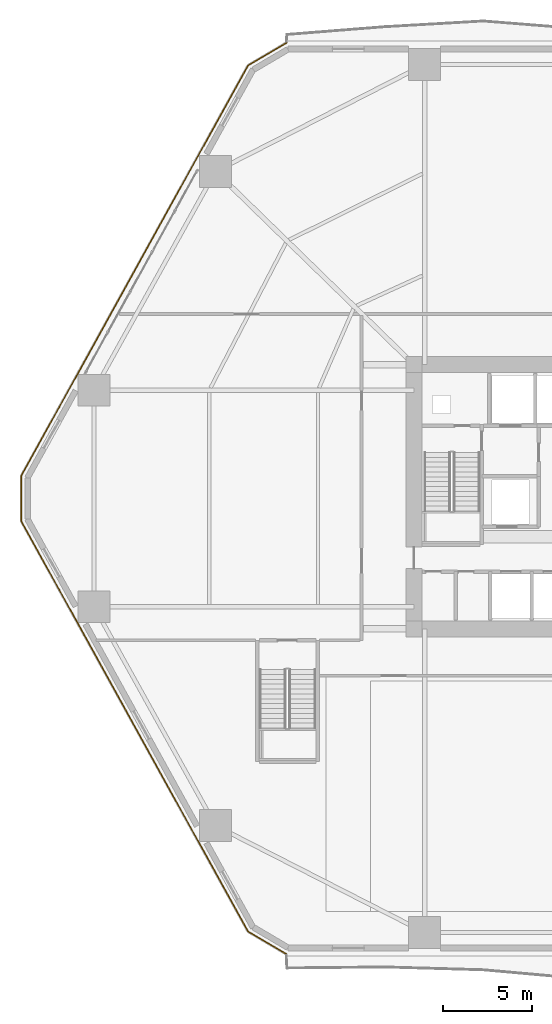
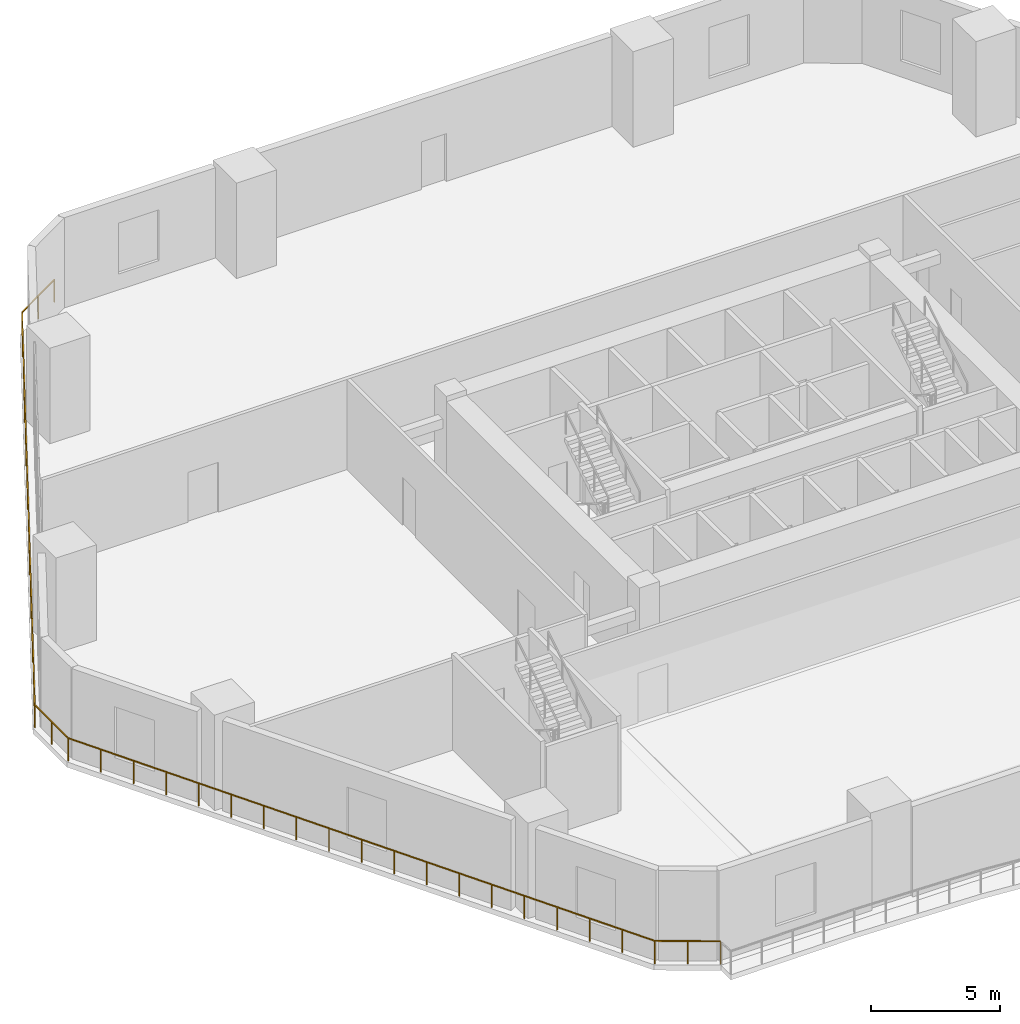
# One storey, part 16 of 18: 1 railing.
"""IFC4 building model written with IfcOpenShell, lengths in metres."""

from ifc_helpers import new_model, si_unit, direction, frame, origin, origin_2d, place, context, subcontext, project, spatial, rectangle, extrude, material, type_object, element, save


model = new_model("IFC4")

# Units and contexts
model_context = context("Model", 3, precision=1e-05, world=origin(), true_north=direction((0.0, 1.0)))
body_context = subcontext(model_context, "Body", "Model", "MODEL_VIEW")
ifc_project = project(units=[si_unit("LENGTHUNIT", "METRE"), si_unit("AREAUNIT", "SQUARE_METRE"), si_unit("VOLUMEUNIT", "CUBIC_METRE"), si_unit("PLANEANGLEUNIT", "RADIAN"), si_unit("MASSUNIT", "GRAM", prefix="KILO")], contexts=[model_context])

# Site, building, storey
site_placement = place(None, origin())
site = spatial("IfcSite", under=ifc_project, at=site_placement, CompositionType="ELEMENT")
building_placement = place(site_placement, origin())
building = spatial("IfcBuilding", under=site, at=building_placement, Name="Cinnabar Lancet Tower", CompositionType="ELEMENT")
storey_placement = place(building_placement, frame((0.0, 0.0, 10.5)))
storey = spatial("IfcBuildingStorey", under=building, at=storey_placement, Name="L02", CompositionType="ELEMENT", Elevation=10.5)

# Railing
ifc_material = material(Name="Laminated safety glass and bronze stainless steel balustrade", Category="steel")
railing_type = type_object("IfcRailingType", Name="ENV-RLG-BAL-1100", PredefinedType="BALUSTRADE", material=ifc_material)
railing_placement = place(storey_placement, frame((15.778076171875, 51.52001953125, 0.0)))
element("IfcRailing", 1, at=railing_placement, inside=storey, type_object=railing_type, Name="L02 West Perimeter Overhang Edge Balustrade", PredefinedType="BALUSTRADE", context=body_context, shape_type="SweptSolid", body=[
    extrude(rectangle(XDim=0.048095703125, YDim=0.048095703125, at=origin_2d()), frame((0.0, 0.0, 1.076171875), z_axis=(-0.86125159245, -0.508178801705, 0.0), x_axis=(0.508178801705, -0.86125159245, 0.0)), (0.0, 0.0, 1.0), 2.54052734375),
    extrude(rectangle(XDim=0.048095703125, YDim=0.048095703125, at=origin_2d()), frame((-2.18798828125, -1.291015625, 1.076171875), z_axis=(-0.483655391037, -0.875258511938, 0.0), x_axis=(0.875258511938, -0.483655391037, 0.0)), (0.0, 0.0, 1.0), 26.434326171875),
    extrude(rectangle(XDim=0.048095703125, YDim=0.048095703125, at=origin_2d()), frame((-14.97314453125, -24.427978515625, 1.076171875), z_axis=(0.0, -1.0, 0.0), x_axis=(1.0, 0.0, 0.0)), (0.0, 0.0, 1.0), 2.583984375),
    extrude(rectangle(XDim=0.048095703125, YDim=0.048095703125, at=origin_2d()), frame((-14.97314453125, -27.011962890625, 1.076171875), z_axis=(0.483655391037, -0.875258511938, 0.0), x_axis=(0.875258511938, 0.483655391037, 0.0)), (0.0, 0.0, 1.0), 26.434326171875),
    extrude(rectangle(XDim=0.048095703125, YDim=0.048095703125, at=origin_2d()), frame((-2.18798828125, -50.14892578125, 1.076171875), z_axis=(0.86125159245, -0.508178801705, 0.0), x_axis=(0.508178801705, 0.86125159245, 0.0)), (0.0, 0.0, 1.0), 2.54052734375),
    extrude(rectangle(XDim=0.0419921875, YDim=0.0419921875, at=origin_2d()), origin(), (0.0, 0.0, 1.0), 1.052001953125),
    extrude(rectangle(XDim=0.0419921875, YDim=0.0419921875, at=origin_2d()), frame((-1.093994140625, -0.6455078125, 0.0)), (0.0, 0.0, 1.0), 1.052001953125),
    extrude(rectangle(XDim=0.0419921875, YDim=0.0419921875, at=origin_2d()), frame((-2.18798828125, -1.291015625, 0.0)), (0.0, 0.0, 1.0), 1.052001953125),
    extrude(rectangle(XDim=0.0419921875, YDim=0.0419921875, at=origin_2d()), frame((-2.898193359375, -2.576416015625, 0.0)), (0.0, 0.0, 1.0), 1.052001953125),
    extrude(rectangle(XDim=0.0419921875, YDim=0.0419921875, at=origin_2d()), frame((-3.608642578125, -3.86181640625, 0.0)), (0.0, 0.0, 1.0), 1.052001953125),
    extrude(rectangle(XDim=0.0419921875, YDim=0.0419921875, at=origin_2d()), frame((-4.31884765625, -5.147216796875, 0.0)), (0.0, 0.0, 1.0), 1.052001953125),
    extrude(rectangle(XDim=0.0419921875, YDim=0.0419921875, at=origin_2d()), frame((-5.029052734375, -6.4326171875, 0.0)), (0.0, 0.0, 1.0), 1.052001953125),
    extrude(rectangle(XDim=0.0419921875, YDim=0.0419921875, at=origin_2d()), frame((-5.739501953125, -7.718017578125, 0.0)), (0.0, 0.0, 1.0), 1.052001953125),
    extrude(rectangle(XDim=0.0419921875, YDim=0.0419921875, at=origin_2d()), frame((-6.44970703125, -9.00341796875, 0.0)), (0.0, 0.0, 1.0), 1.052001953125),
    extrude(rectangle(XDim=0.0419921875, YDim=0.0419921875, at=origin_2d()), frame((-7.159912109375, -10.288818359375, 0.0)), (0.0, 0.0, 1.0), 1.052001953125),
    extrude(rectangle(XDim=0.0419921875, YDim=0.0419921875, at=origin_2d()), frame((-7.870361328125, -11.57421875, 0.0)), (0.0, 0.0, 1.0), 1.052001953125),
    extrude(rectangle(XDim=0.0419921875, YDim=0.0419921875, at=origin_2d()), frame((-8.58056640625, -12.859375, 0.0)), (0.0, 0.0, 1.0), 1.052001953125),
    extrude(rectangle(XDim=0.0419921875, YDim=0.0419921875, at=origin_2d()), frame((-9.290771484375, -14.144775390625, 0.0)), (0.0, 0.0, 1.0), 1.052001953125),
    extrude(rectangle(XDim=0.0419921875, YDim=0.0419921875, at=origin_2d()), frame((-10.001220703125, -15.43017578125, 0.0)), (0.0, 0.0, 1.0), 1.052001953125),
    extrude(rectangle(XDim=0.0419921875, YDim=0.0419921875, at=origin_2d()), frame((-10.71142578125, -16.715576171875, 0.0)), (0.0, 0.0, 1.0), 1.052001953125),
    extrude(rectangle(XDim=0.0419921875, YDim=0.0419921875, at=origin_2d()), frame((-11.421630859375, -18.0009765625, 0.0)), (0.0, 0.0, 1.0), 1.052001953125),
    extrude(rectangle(XDim=0.0419921875, YDim=0.0419921875, at=origin_2d()), frame((-12.132080078125, -19.286376953125, 0.0)), (0.0, 0.0, 1.0), 1.052001953125),
    extrude(rectangle(XDim=0.0419921875, YDim=0.0419921875, at=origin_2d()), frame((-12.84228515625, -20.57177734375, 0.0)), (0.0, 0.0, 1.0), 1.052001953125),
    extrude(rectangle(XDim=0.0419921875, YDim=0.0419921875, at=origin_2d()), frame((-13.552490234375, -21.857177734375, 0.0)), (0.0, 0.0, 1.0), 1.052001953125),
    extrude(rectangle(XDim=0.0419921875, YDim=0.0419921875, at=origin_2d()), frame((-14.262939453125, -23.142578125, 0.0)), (0.0, 0.0, 1.0), 1.052001953125),
    extrude(rectangle(XDim=0.0419921875, YDim=0.0419921875, at=origin_2d()), frame((-14.97314453125, -24.427978515625, 0.0)), (0.0, 0.0, 1.0), 1.052001953125),
    extrude(rectangle(XDim=0.0419921875, YDim=0.0419921875, at=origin_2d()), frame((-14.97314453125, -25.719970703125, 0.0)), (0.0, 0.0, 1.0), 1.052001953125),
    extrude(rectangle(XDim=0.0419921875, YDim=0.0419921875, at=origin_2d()), frame((-14.97314453125, -27.011962890625, 0.0)), (0.0, 0.0, 1.0), 1.052001953125),
    extrude(rectangle(XDim=0.0419921875, YDim=0.0419921875, at=origin_2d()), frame((-14.262939453125, -28.29736328125, 0.0)), (0.0, 0.0, 1.0), 1.052001953125),
    extrude(rectangle(XDim=0.0419921875, YDim=0.0419921875, at=origin_2d()), frame((-13.552490234375, -29.582763671875, 0.0)), (0.0, 0.0, 1.0), 1.052001953125),
    extrude(rectangle(XDim=0.0419921875, YDim=0.0419921875, at=origin_2d()), frame((-12.84228515625, -30.8681640625, 0.0)), (0.0, 0.0, 1.0), 1.052001953125),
    extrude(rectangle(XDim=0.0419921875, YDim=0.0419921875, at=origin_2d()), frame((-12.132080078125, -32.153564453125, 0.0)), (0.0, 0.0, 1.0), 1.052001953125),
    extrude(rectangle(XDim=0.0419921875, YDim=0.0419921875, at=origin_2d()), frame((-11.421630859375, -33.43896484375, 0.0)), (0.0, 0.0, 1.0), 1.052001953125),
    extrude(rectangle(XDim=0.0419921875, YDim=0.0419921875, at=origin_2d()), frame((-10.71142578125, -34.724365234375, 0.0)), (0.0, 0.0, 1.0), 1.052001953125),
    extrude(rectangle(XDim=0.0419921875, YDim=0.0419921875, at=origin_2d()), frame((-10.001220703125, -36.009765625, 0.0)), (0.0, 0.0, 1.0), 1.052001953125),
    extrude(rectangle(XDim=0.0419921875, YDim=0.0419921875, at=origin_2d()), frame((-9.290771484375, -37.295166015625, 0.0)), (0.0, 0.0, 1.0), 1.052001953125),
    extrude(rectangle(XDim=0.0419921875, YDim=0.0419921875, at=origin_2d()), frame((-8.58056640625, -38.58056640625, 0.0)), (0.0, 0.0, 1.0), 1.052001953125),
    extrude(rectangle(XDim=0.0419921875, YDim=0.0419921875, at=origin_2d()), frame((-7.870361328125, -39.86572265625, 0.0)), (0.0, 0.0, 1.0), 1.052001953125),
    extrude(rectangle(XDim=0.0419921875, YDim=0.0419921875, at=origin_2d()), frame((-7.159912109375, -41.151123046875, 0.0)), (0.0, 0.0, 1.0), 1.052001953125),
    extrude(rectangle(XDim=0.0419921875, YDim=0.0419921875, at=origin_2d()), frame((-6.44970703125, -42.4365234375, 0.0)), (0.0, 0.0, 1.0), 1.052001953125),
    extrude(rectangle(XDim=0.0419921875, YDim=0.0419921875, at=origin_2d()), frame((-5.739501953125, -43.721923828125, 0.0)), (0.0, 0.0, 1.0), 1.052001953125),
    extrude(rectangle(XDim=0.0419921875, YDim=0.0419921875, at=origin_2d()), frame((-5.029052734375, -45.00732421875, 0.0)), (0.0, 0.0, 1.0), 1.052001953125),
    extrude(rectangle(XDim=0.0419921875, YDim=0.0419921875, at=origin_2d()), frame((-4.31884765625, -46.292724609375, 0.0)), (0.0, 0.0, 1.0), 1.052001953125),
    extrude(rectangle(XDim=0.0419921875, YDim=0.0419921875, at=origin_2d()), frame((-3.608642578125, -47.578125, 0.0)), (0.0, 0.0, 1.0), 1.052001953125),
    extrude(rectangle(XDim=0.0419921875, YDim=0.0419921875, at=origin_2d()), frame((-2.898193359375, -48.863525390625, 0.0)), (0.0, 0.0, 1.0), 1.052001953125),
    extrude(rectangle(XDim=0.0419921875, YDim=0.0419921875, at=origin_2d()), frame((-2.18798828125, -50.14892578125, 0.0)), (0.0, 0.0, 1.0), 1.052001953125),
    extrude(rectangle(XDim=0.0419921875, YDim=0.0419921875, at=origin_2d()), frame((-1.093994140625, -50.79443359375, 0.0)), (0.0, 0.0, 1.0), 1.052001953125),
    extrude(rectangle(XDim=0.0419921875, YDim=0.0419921875, at=origin_2d()), frame((0.0, -51.43994140625, 0.0)), (0.0, 0.0, 1.0), 1.052001953125),
])

save(model, "model.ifc")
